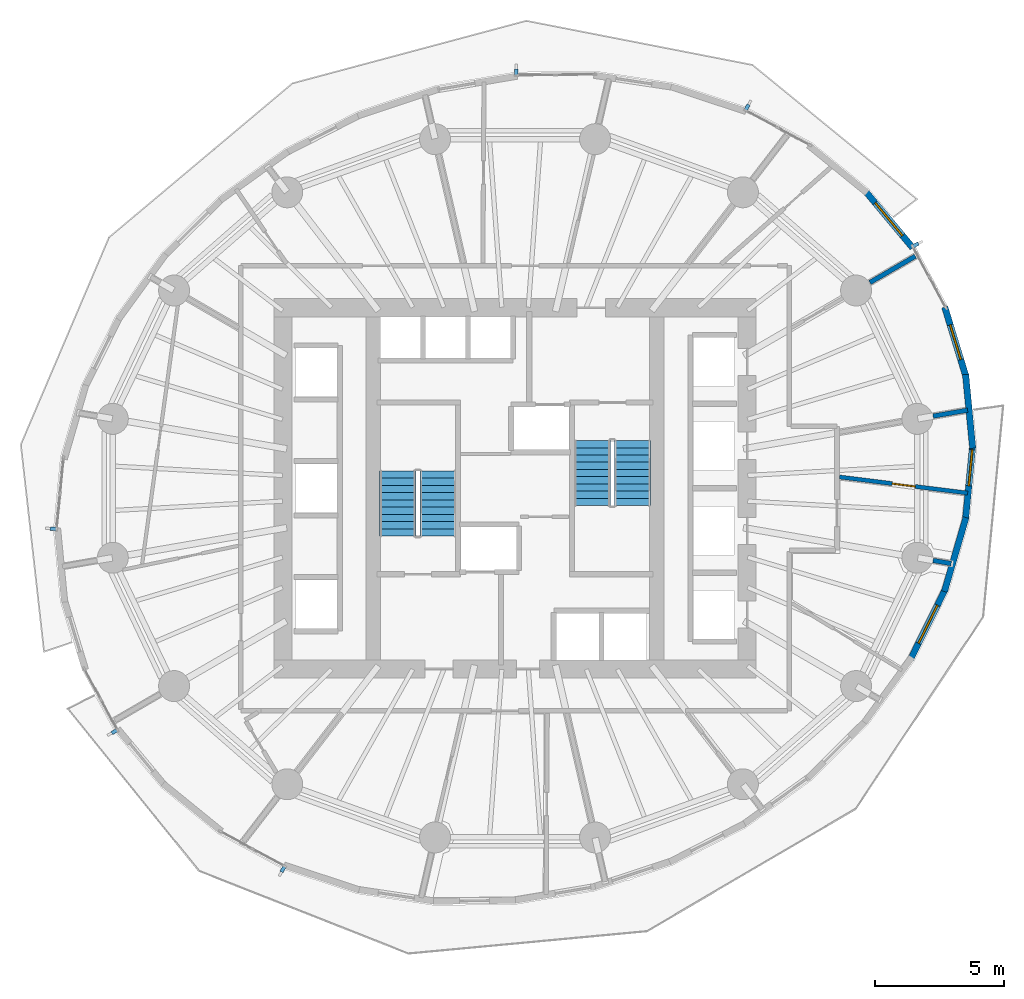
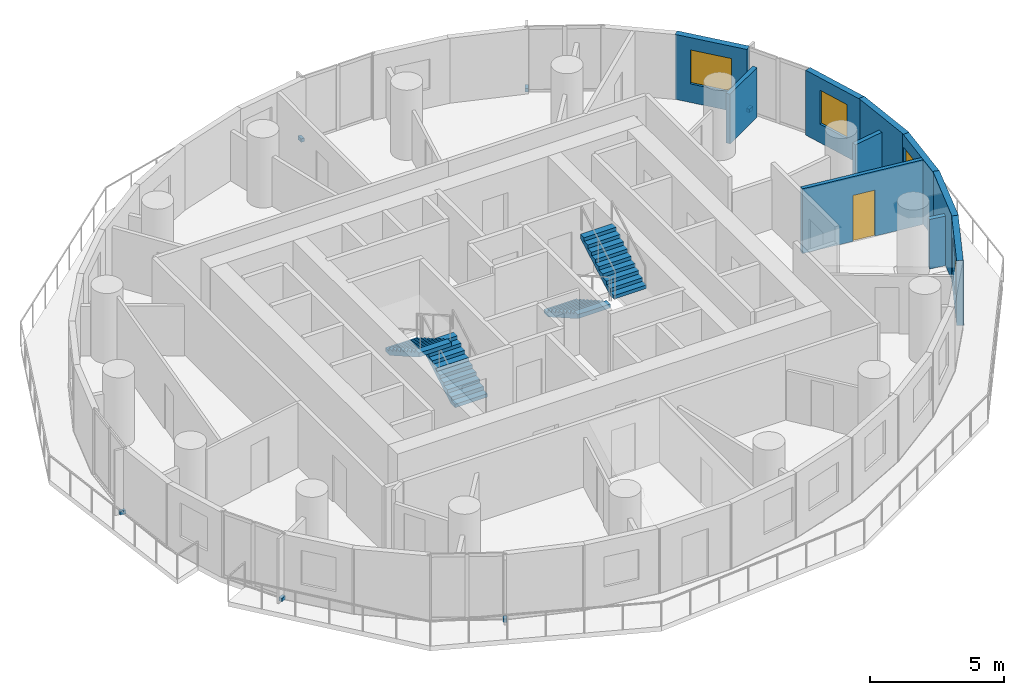
# One storey, part 10 of 14: 10 walls, 6 discrete accessories, 4 stair flights, 4 windows, 1 door, 5 openings, 2 elements without a shape of their own.
"""IFC4 building model written with IfcOpenShell, lengths in metres."""

from ifc_helpers import new_model, si_unit, direction, frame, frame_2d, origin, origin_2d, place, context, subcontext, project, spatial, polyline, rectangle, outline, extrude, material, layer, layer_set, type_object, element, fill, aggregate, save


model = new_model("IFC4")

# Units and contexts
model_context = context("Model", 3, precision=1e-05, world=origin(), true_north=direction((0.0, 1.0)))
body_context = subcontext(model_context, "Body", "Model", "MODEL_VIEW")
ifc_project = project(units=[si_unit("LENGTHUNIT", "METRE"), si_unit("AREAUNIT", "SQUARE_METRE"), si_unit("VOLUMEUNIT", "CUBIC_METRE"), si_unit("PLANEANGLEUNIT", "RADIAN"), si_unit("MASSUNIT", "GRAM", prefix="KILO")], contexts=[model_context])

# Site, building, storey
site_placement = place(None, origin())
site = spatial("IfcSite", under=ifc_project, at=site_placement, CompositionType="ELEMENT")
building_placement = place(site_placement, origin())
building = spatial("IfcBuilding", under=site, at=building_placement, Name="Veldorim Arch Residences", CompositionType="ELEMENT")
storey_placement = place(building_placement, frame((0.0, 0.0, 96.47998046875)))
storey = spatial("IfcBuildingStorey", under=building, at=storey_placement, Name="L28", CompositionType="ELEMENT", Elevation=96.47998046875)

# Walls
ifc_material_1 = material(Name="Lightweight Masonry Block & Gypsum", Category="masonry")
ifc_layer_1 = layer(ifc_material_1, 0.179931640625, Name="Compartment & Corridor Fire-Rated Party Wall 180")
ifc_layer_set_1 = layer_set([ifc_layer_1], Name="Lightweight Masonry Block & Gypsum")
wall_type_1 = type_object("IfcWallType", Name="Compartment & Corridor Fire-Rated Party Wall 180", PredefinedType="PARTITIONING", material=ifc_layer_set_1)
wall_1_placement = place(storey_placement, frame((48.20556640625, 26.797607421875, 0.0), z_axis=(0.0, 0.0, 1.0), x_axis=(0.98540615772, 0.170219576807, 0.0)))
element("IfcWall", 1, at=wall_1_placement, inside=storey, type_object=wall_type_1, Name="L28 interior wall WL-PIER-L28-01", PredefinedType="PARTITIONING", context=body_context, shape_type="SweptSolid", body=[
    extrude(rectangle(XDim=1.359619140625, YDim=0.179931640625, at=frame_2d((0.6796875, 0.0))), origin(), (0.0, 0.0, 1.0), 2.260498046875),
])
wall_2_placement = place(storey_placement, frame((45.756591796875, 31.977783203125, 0.0), z_axis=(0.0, 0.0, 1.0), x_axis=(0.865025978628, 0.501727073516, 0.0)))
element("IfcWall", 2, at=wall_2_placement, inside=storey, type_object=wall_type_1, Name="L28 interior wall WL-PIER-L28-02", PredefinedType="PARTITIONING", context=body_context, shape_type="SweptSolid", body=[
    extrude(rectangle(XDim=2.033447265625, YDim=0.179931640625, at=frame_2d((1.0166015625, 0.0))), origin(), (0.0, 0.0, 1.0), 2.260498046875),
])
wall_3_placement = place(storey_placement, frame((48.20556640625, 21.202392578125, 0.0), z_axis=(0.0, 0.0, 1.0), x_axis=(0.985420399327, -0.17013711115, 0.0)))
element("IfcWall", 3, at=wall_3_placement, inside=storey, type_object=wall_type_1, Name="L28 interior wall WL-PIER-L28-16", PredefinedType="PARTITIONING", context=body_context, shape_type="SweptSolid", body=[
    extrude(rectangle(XDim=0.710205078125, YDim=0.179931640625, at=frame_2d((0.35498046875, 0.0))), origin(), (0.0, 0.0, 1.0), 2.260498046875),
])

# Wall, opening, window
ifc_material_2 = material(Name="Precast concrete C40/50", Category="concrete")
ifc_layer_2 = layer(ifc_material_2, 0.25, Name="Tower Terracotta Spandrel & Pier Wall 250")
ifc_layer_set_2 = layer_set([ifc_layer_2], Name="Precast concrete C40/50")
wall_type_2 = type_object("IfcWallType", Name="Tower Terracotta Spandrel & Pier Wall 250", PredefinedType="SOLIDWALL", material=ifc_layer_set_2)
wall_4_placement = place(storey_placement, frame((45.571533203125, 35.534912109375, 0.0), z_axis=(0.0, 0.0, 1.0), x_axis=(0.640518566271, -0.76794268423, 0.0)))
wall_4 = element("IfcWall", 4, at=wall_4_placement, inside=storey, type_object=wall_type_2, Name="L28 terracotta facade wall 02", PredefinedType="SOLIDWALL", context=body_context, shape_type="SweptSolid", body=[
    extrude(rectangle(XDim=2.8740234375, YDim=0.25, at=frame_2d((1.43701171875, 0.0))), origin(), (0.0, 0.0, 1.0), 2.9599609375),
])
opening_1_placement = place(wall_4_placement, frame((0.612060546875, 0.0, 0.85009765625)))
opening_1 = element("IfcOpeningElement", 5, at=opening_1_placement, cuts=wall_4, Name="Opening WN-03", PredefinedType="OPENING", context=body_context, shape_type="SweptSolid", body=[
    extrude(rectangle(XDim=1.64990234375, YDim=1.550048828125, at=frame_2d((0.824951171875, 0.77490234375))), frame((0.0, 0.135009765625, 0.0), z_axis=(0.0, -1.0, 0.0), x_axis=(1.0, 0.0, 0.0)), (0.0, 0.0, 1.0), 0.27001953125),
])
ifc_material_3 = material(Name="Laminated Low-E Glass", Category="glass")
window_type_1 = type_object("IfcWindowType", Name="Residential Wide Window 1650x1550", PartitioningType="SINGLE_PANEL", PredefinedType="WINDOW", material=ifc_material_3)
window_1_placement = place(opening_1_placement, origin())
window_1 = element("IfcWindow", 6, at=window_1_placement, inside=storey, type_object=window_type_1, Name="L28 solar-control facade window 02", OverallHeight=1.550048828125, OverallWidth=1.64990234375, PartitioningType="SINGLE_PANEL", PredefinedType="WINDOW", context=body_context, shape_type="SweptSolid", body=[
    extrude(rectangle(XDim=1.64990234375, YDim=1.550048828125, at=frame_2d((0.824951171875, 0.77490234375))), frame((0.0, 0.030029296875, 0.0), z_axis=(0.0, -1.0, 0.0), x_axis=(1.0, 0.0, 0.0)), (0.0, 0.0, 1.0), 0.06005859375),
])
fill(opening_1, window_1)

wall_5_placement = place(storey_placement, frame((48.68798828125, 20.100830078125, 0.0), z_axis=(0.0, 0.0, 1.0), x_axis=(-0.443988069997, -0.896032696781, 0.0)))
wall_5 = element("IfcWall", 7, at=wall_5_placement, inside=storey, type_object=wall_type_2, Name="L28 terracotta facade wall 32", PredefinedType="SOLIDWALL", context=body_context, shape_type="SweptSolid", body=[
    extrude(rectangle(XDim=3.060546875, YDim=0.25, at=frame_2d((1.5302734375, 0.0))), origin(), (0.0, 0.0, 1.0), 2.9599609375),
])
opening_2_placement = place(wall_5_placement, frame((0.705078125, 0.0, 0.85009765625)))
opening_2 = element("IfcOpeningElement", 8, at=opening_2_placement, cuts=wall_5, Name="Opening WN-03", PredefinedType="OPENING", context=body_context, shape_type="SweptSolid", body=[
    extrude(rectangle(XDim=1.64990234375, YDim=1.550048828125, at=frame_2d((0.824951171875, 0.77490234375))), frame((0.0, 0.135009765625, 0.0), z_axis=(0.0, -1.0, 0.0), x_axis=(1.0, 0.0, 0.0)), (0.0, 0.0, 1.0), 0.27001953125),
])
window_2_placement = place(opening_2_placement, origin())
window_2 = element("IfcWindow", 9, at=window_2_placement, inside=storey, type_object=window_type_1, Name="L28 solar-control facade window 32", OverallHeight=1.550048828125, OverallWidth=1.64990234375, PartitioningType="SINGLE_PANEL", PredefinedType="WINDOW", context=body_context, shape_type="SweptSolid", body=[
    extrude(rectangle(XDim=1.64990234375, YDim=1.550048828125, at=frame_2d((0.824951171875, 0.77490234375))), frame((0.0, 0.030029296875, 0.0), z_axis=(0.0, -1.0, 0.0), x_axis=(1.0, 0.0, 0.0)), (0.0, 0.0, 1.0), 0.06005859375),
])
fill(opening_2, window_2)

# Wall
wall_6_placement = place(storey_placement, frame((49.4814453125, 22.866455078125, 0.0), z_axis=(0.0, 0.0, 1.0), x_axis=(-0.279152874041, -0.960246672952, 0.0)))
element("IfcWall", 10, at=wall_6_placement, inside=storey, type_object=wall_type_2, Name="L28 terracotta facade wall 33", PredefinedType="SOLIDWALL", context=body_context, shape_type="SweptSolid", body=[
    extrude(rectangle(XDim=2.988525390625, YDim=0.25, at=frame_2d((1.494140625, 0.0))), origin(), (0.0, 0.0, 1.0), 2.9599609375),
])

# Wall, opening, window
wall_7_placement = place(storey_placement, frame((49.743408203125, 25.665283203125, 0.0), z_axis=(0.0, 0.0, 1.0), x_axis=(-0.096873982201, -0.995296655059, 0.0)))
wall_7 = element("IfcWall", 11, at=wall_7_placement, inside=storey, type_object=wall_type_2, Name="L28 terracotta facade wall 34", PredefinedType="SOLIDWALL", context=body_context, shape_type="SweptSolid", body=[
    extrude(rectangle(XDim=2.92333984375, YDim=0.25, at=frame_2d((1.461669921875, 0.0))), origin(), (0.0, 0.0, 1.0), 2.9599609375),
])
opening_3_placement = place(wall_7_placement, frame((0.175048828125, 0.0, 0.85009765625)))
opening_3 = element("IfcOpeningElement", 12, at=opening_3_placement, cuts=wall_7, Name="Opening WN-02", PredefinedType="OPENING", context=body_context, shape_type="SweptSolid", body=[
    extrude(rectangle(XDim=1.39990234375, YDim=1.550048828125, at=frame_2d((0.699951171875, 0.77490234375))), frame((0.0, 0.135009765625, 0.0), z_axis=(0.0, -1.0, 0.0), x_axis=(1.0, 0.0, 0.0)), (0.0, 0.0, 1.0), 0.27001953125),
])
ifc_material_4 = material(Name="Laminated Low-E Glass", Category="glass")
window_type_2 = type_object("IfcWindowType", Name="Residential Casement Window 1400x1550", PartitioningType="SINGLE_PANEL", PredefinedType="WINDOW", material=ifc_material_4)
window_3_placement = place(opening_3_placement, origin())
window_3 = element("IfcWindow", 13, at=window_3_placement, inside=storey, type_object=window_type_2, Name="L28 solar-control facade window 34", OverallHeight=1.550048828125, OverallWidth=1.39990234375, PartitioningType="SINGLE_PANEL", PredefinedType="WINDOW", context=body_context, shape_type="SweptSolid", body=[
    extrude(rectangle(XDim=1.39990234375, YDim=1.550048828125, at=frame_2d((0.699951171875, 0.77490234375))), frame((0.0, 0.030029296875, 0.0), z_axis=(0.0, -1.0, 0.0), x_axis=(1.0, 0.0, 0.0)), (0.0, 0.0, 1.0), 0.06005859375),
])
fill(opening_3, window_3)

# Wall
wall_8_placement = place(storey_placement, frame((49.466552734375, 28.412109375, 0.0), z_axis=(0.0, 0.0, 1.0), x_axis=(0.096332339466, -0.995349225334, 0.0)))
element("IfcWall", 14, at=wall_8_placement, inside=storey, type_object=wall_type_2, Name="L28 terracotta facade wall 35", PredefinedType="SOLIDWALL", context=body_context, shape_type="SweptSolid", body=[
    extrude(rectangle(XDim=2.8740234375, YDim=0.25, at=frame_2d((1.43701171875, 0.0))), origin(), (0.0, 0.0, 1.0), 2.9599609375),
])

# Wall, opening, window
wall_9_placement = place(storey_placement, frame((48.659912109375, 31.0244140625, 0.0), z_axis=(0.0, 0.0, 1.0), x_axis=(0.291144558409, -0.956679071637, 0.0)))
wall_9 = element("IfcWall", 15, at=wall_9_placement, inside=storey, type_object=wall_type_2, Name="L28 terracotta facade wall 36", PredefinedType="SOLIDWALL", context=body_context, shape_type="SweptSolid", body=[
    extrude(rectangle(XDim=2.84765625, YDim=0.25, at=frame_2d((1.423828125, 0.0))), origin(), (0.0, 0.0, 1.0), 2.9599609375),
])
opening_4_placement = place(wall_9_placement, frame((0.72412109375, 0.0, 0.85009765625)))
opening_4 = element("IfcOpeningElement", 16, at=opening_4_placement, cuts=wall_9, Name="Opening WN-02", PredefinedType="OPENING", context=body_context, shape_type="SweptSolid", body=[
    extrude(rectangle(XDim=1.39990234375, YDim=1.550048828125, at=frame_2d((0.699951171875, 0.77490234375))), frame((0.0, 0.135009765625, 0.0), z_axis=(0.0, -1.0, 0.0), x_axis=(1.0, 0.0, 0.0)), (0.0, 0.0, 1.0), 0.27001953125),
])
window_4_placement = place(opening_4_placement, origin())
window_4 = element("IfcWindow", 17, at=window_4_placement, inside=storey, type_object=window_type_2, Name="L28 solar-control facade window 36", OverallHeight=1.550048828125, OverallWidth=1.39990234375, PartitioningType="SINGLE_PANEL", PredefinedType="WINDOW", context=body_context, shape_type="SweptSolid", body=[
    extrude(rectangle(XDim=1.39990234375, YDim=1.550048828125, at=frame_2d((0.699951171875, 0.77490234375))), frame((0.0, 0.030029296875, 0.0), z_axis=(0.0, -1.0, 0.0), x_axis=(1.0, 0.0, 0.0)), (0.0, 0.0, 1.0), 0.06005859375),
])
fill(opening_4, window_4)

# Wall, opening, door
ifc_material_5 = material(Name="Moisture-Resistant Gypsum & Stud", Category="gypsum")
ifc_layer_3 = layer(ifc_material_5, 0.159912109375, Name="Wet-Area Moisture-Resistant Plumbing Wall 160")
ifc_layer_set_3 = layer_set([ifc_layer_3], Name="Moisture-Resistant Gypsum & Stud")
wall_type_3 = type_object("IfcWallType", Name="Wet-Area Moisture-Resistant Plumbing Wall 160", PredefinedType="PLUMBINGWALL", material=ifc_layer_set_3)
wall_10_placement = place(storey_placement, frame((44.5791015625, 24.43798828125, 0.0), z_axis=(0.0, 0.0, 1.0), x_axis=(0.99219440442, -0.124700697023, 0.0)))
wall_10 = element("IfcWall", 18, at=wall_10_placement, inside=storey, type_object=wall_type_3, Name="L28 interior wall WL-RES-L28-017", PredefinedType="PLUMBINGWALL", context=body_context, shape_type="SweptSolid", body=[
    extrude(rectangle(XDim=5.008056640625, YDim=0.159912109375, at=frame_2d((2.50390625, 0.0))), origin(), (0.0, 0.0, 1.0), 2.955078125),
])
opening_5_placement = place(wall_10_placement, frame((2.053955078125, 0.0, 0.0)))
opening_5 = element("IfcOpeningElement", 19, at=opening_5_placement, cuts=wall_10, Name="Opening DR-WC", PredefinedType="OPENING", context=body_context, shape_type="SweptSolid", body=[
    extrude(rectangle(XDim=0.89990234375, YDim=2.10009765625, at=frame_2d((0.449951171875, 1.050048828125))), frame((0.0, 0.08984375, 0.0), z_axis=(0.0, -1.0, 0.0), x_axis=(1.0, 0.0, 0.0)), (0.0, 0.0, 1.0), 0.179931640625),
])
ifc_material_6 = material(Name="Laminate Timber", Category="wood")
door_type = type_object("IfcDoorType", Name="Bathroom & Accessible WC Moisture-Sealed Door 900x2100", OperationType="SINGLE_SWING_LEFT", PredefinedType="DOOR", material=ifc_material_6)
door_placement = place(opening_5_placement, origin())
door = element("IfcDoor", 20, at=door_placement, inside=storey, type_object=door_type, Name="L28 interior door DR-RES-L28-005", OperationType="SINGLE_SWING_LEFT", OverallHeight=2.10009765625, OverallWidth=0.89990234375, PredefinedType="DOOR", context=body_context, shape_type="SweptSolid", body=[
    extrude(rectangle(XDim=0.89990234375, YDim=2.10009765625, at=frame_2d((0.449951171875, 1.050048828125))), frame((0.0, 0.02490234375, 0.0), z_axis=(0.0, -1.0, 0.0), x_axis=(1.0, 0.0, 0.0)), (0.0, 0.0, 1.0), 0.050048828125),
])
fill(opening_5, door)

# Stair, stair flights
ifc_material_7 = material(Name="Concrete C40/50", Category="concrete")
stair_type = type_object("IfcStairType", Name="Reinforced Concrete Dogleg Exit Staircase", PredefinedType="HALF_TURN_STAIR", material=ifc_material_7)
stair_1_placement = place(storey_placement, origin())
stair_1 = element("IfcStair", 21, at=stair_1_placement, inside=storey, type_object=stair_type, Name="L28 Exit Staircase ST-1", PredefinedType="HALF_TURN_STAIR")
ifc_material_8 = material(Name="Concrete C40/50", Category="concrete")
stair_flight_type = type_object("IfcStairFlightType", Name="Reinforced Concrete Stair Flight 1400", PredefinedType="STRAIGHT", material=ifc_material_8)
stair_flight_1_placement = place(storey_placement, frame((29.010009765625, 22.14990234375, 0.0), z_axis=(0.0, 0.0, 1.0), x_axis=(0.0, 1.0, 0.0)))
stair_flight_1 = element("IfcStairFlight", 22, at=stair_flight_1_placement, type_object=stair_flight_type, Name="ST-1 flight 1", NumberOfRisers=10, NumberOfTreads=9, PredefinedType="STRAIGHT", RiserHeight=0.16, TreadLength=0.28, context=body_context, shape_type="SweptSolid", body=[
    extrude(outline(polyline([(0.0, 0.0), (0.0, 0.159912109375), (0.280029296875, 0.159912109375), (0.280029296875, 0.320068359375), (0.56005859375, 0.320068359375), (0.56005859375, 0.47998046875), (0.840087890625, 0.47998046875), (0.840087890625, 0.639892578125), (1.1201171875, 0.639892578125), (1.1201171875, 0.800048828125), (1.39990234375, 0.800048828125), (1.39990234375, 0.9599609375), (1.679931640625, 0.9599609375), (1.679931640625, 1.1201171875), (1.9599609375, 1.1201171875), (1.9599609375, 1.280029296875), (2.239990234375, 1.280029296875), (2.239990234375, 1.43994140625), (2.52001953125, 1.43994140625), (2.52001953125, 1.60009765625), (2.52001953125, 1.255859375), (0.322265625, 0.0), (0.0, 0.0)])), frame((0.0, 0.699951171875, 0.0), z_axis=(0.0, -1.0, 0.0), x_axis=(1.0, 0.0, 0.0)), (0.0, 0.0, 1.0), 1.39990234375),
])
stair_flight_2_placement = place(storey_placement, frame((27.449951171875, 24.669921875, 1.60009765625), z_axis=(0.0, 0.0, 1.0), x_axis=(0.0, -1.0, 0.0)))
stair_flight_2 = element("IfcStairFlight", 23, at=stair_flight_2_placement, type_object=stair_flight_type, Name="ST-1 flight 2", NumberOfRisers=10, NumberOfTreads=9, PredefinedType="STRAIGHT", RiserHeight=0.16, TreadLength=0.28, context=body_context, shape_type="SweptSolid", body=[
    extrude(outline(polyline([(0.0, 0.0), (0.0, 0.159912109375), (0.280029296875, 0.159912109375), (0.280029296875, 0.320068359375), (0.56005859375, 0.320068359375), (0.56005859375, 0.47998046875), (0.840087890625, 0.47998046875), (0.840087890625, 0.639892578125), (1.1201171875, 0.639892578125), (1.1201171875, 0.800048828125), (1.39990234375, 0.800048828125), (1.39990234375, 0.9599609375), (1.679931640625, 0.9599609375), (1.679931640625, 1.1201171875), (1.9599609375, 1.1201171875), (1.9599609375, 1.280029296875), (2.239990234375, 1.280029296875), (2.239990234375, 1.43994140625), (2.52001953125, 1.43994140625), (2.52001953125, 1.60009765625), (2.52001953125, 1.255859375), (0.322265625, 0.0), (0.0, 0.0)])), frame((0.0, 0.699951171875, 0.0), z_axis=(0.0, -1.0, 0.0), x_axis=(1.0, 0.0, 0.0)), (0.0, 0.0, 1.0), 1.39990234375),
])
aggregate(stair_1, [stair_flight_1, stair_flight_2])

stair_2_placement = place(storey_placement, origin())
stair_2 = element("IfcStair", 24, at=stair_2_placement, inside=storey, type_object=stair_type, Name="L28 Exit Staircase ST-2", PredefinedType="HALF_TURN_STAIR")
stair_flight_3_placement = place(storey_placement, frame((34.989990234375, 25.85009765625, 0.0), z_axis=(0.0, 0.0, 1.0), x_axis=(0.0, -1.0, 0.0)))
stair_flight_3 = element("IfcStairFlight", 25, at=stair_flight_3_placement, type_object=stair_flight_type, Name="ST-2 flight 1", NumberOfRisers=10, NumberOfTreads=9, PredefinedType="STRAIGHT", RiserHeight=0.16, TreadLength=0.28, context=body_context, shape_type="SweptSolid", body=[
    extrude(outline(polyline([(0.0, 0.0), (0.0, 0.159912109375), (0.280029296875, 0.159912109375), (0.280029296875, 0.320068359375), (0.56005859375, 0.320068359375), (0.56005859375, 0.47998046875), (0.840087890625, 0.47998046875), (0.840087890625, 0.639892578125), (1.1201171875, 0.639892578125), (1.1201171875, 0.800048828125), (1.39990234375, 0.800048828125), (1.39990234375, 0.9599609375), (1.679931640625, 0.9599609375), (1.679931640625, 1.1201171875), (1.9599609375, 1.1201171875), (1.9599609375, 1.280029296875), (2.239990234375, 1.280029296875), (2.239990234375, 1.43994140625), (2.52001953125, 1.43994140625), (2.52001953125, 1.60009765625), (2.52001953125, 1.255859375), (0.322265625, 0.0), (0.0, 0.0)])), frame((0.0, 0.699951171875, 0.0), z_axis=(0.0, -1.0, 0.0), x_axis=(1.0, 0.0, 0.0)), (0.0, 0.0, 1.0), 1.39990234375),
])
stair_flight_4_placement = place(storey_placement, frame((36.550048828125, 23.330078125, 1.60009765625), z_axis=(0.0, 0.0, 1.0), x_axis=(0.0, 1.0, 0.0)))
stair_flight_4 = element("IfcStairFlight", 26, at=stair_flight_4_placement, type_object=stair_flight_type, Name="ST-2 flight 2", NumberOfRisers=10, NumberOfTreads=9, PredefinedType="STRAIGHT", RiserHeight=0.16, TreadLength=0.28, context=body_context, shape_type="SweptSolid", body=[
    extrude(outline(polyline([(0.0, 0.0), (0.0, 0.159912109375), (0.280029296875, 0.159912109375), (0.280029296875, 0.320068359375), (0.56005859375, 0.320068359375), (0.56005859375, 0.47998046875), (0.840087890625, 0.47998046875), (0.840087890625, 0.639892578125), (1.1201171875, 0.639892578125), (1.1201171875, 0.800048828125), (1.39990234375, 0.800048828125), (1.39990234375, 0.9599609375), (1.679931640625, 0.9599609375), (1.679931640625, 1.1201171875), (1.9599609375, 1.1201171875), (1.9599609375, 1.280029296875), (2.239990234375, 1.280029296875), (2.239990234375, 1.43994140625), (2.52001953125, 1.43994140625), (2.52001953125, 1.60009765625), (2.52001953125, 1.255859375), (0.322265625, 0.0), (0.0, 0.0)])), frame((0.0, 0.699951171875, 0.0), z_axis=(0.0, -1.0, 0.0), x_axis=(1.0, 0.0, 0.0)), (0.0, 0.0, 1.0), 1.39990234375),
])
aggregate(stair_2, [stair_flight_3, stair_flight_4])

# Discrete accessories
ifc_material_9 = material(Name="Stainless Steel", Category="steel")
discrete_accessory_type = type_object("IfcDiscreteAccessoryType", Name="Stainless Steel Facade Fin Anchor Bracket", PredefinedType="BRACKET", material=ifc_material_9)
for number, where, z_axis, x_axis, name in (
    (27, (47.532470703125, 33.43408203125, -0.02001953125), (0.0, 0.0, 1.0), (0.476084726767, -0.879399416044, 0.0), "L28 stainless fin anchor bracket 01"),
    (28, (40.996826171875, 38.768310546875, -0.02001953125), (0.0, 0.0, 1.0), (0.879399416044, -0.476084726767, 0.0), "L28 stainless fin anchor bracket 04"),
    (29, (32.050537109375, 40.14208984375, -0.02001953125), (0.0, 0.0, 1.0), (0.999937615001, 0.011169874929, 0.0), "L28 stainless fin anchor bracket 07"),
    (30, (14.097412109375, 22.427978515625, -0.02001953125), (0.0, 0.0, 1.0), (0.096888076238, 0.995295283161, 0.0), "L28 stainless fin anchor bracket 16"),
    (31, (16.467529296875, 14.56591796875, -0.02001953125), (0.0, 0.0, 1.0), (-0.476084726767, 0.879399416044, 0.0), "L28 stainless fin anchor bracket 19"),
    (32, (23.003173828125, 9.231689453125, -0.02001953125), (0.0, 0.0, 1.0), (-0.879399416044, 0.476084726767, 0.0), "L28 stainless fin anchor bracket 22"),
):
    element("IfcDiscreteAccessory", number, at=place(storey_placement, frame(where, z_axis=z_axis, x_axis=x_axis)), inside=storey, type_object=discrete_accessory_type, Name=name, PredefinedType="BRACKET", context=body_context, shape_type="SweptSolid", body=[
        extrude(rectangle(XDim=0.139892578125, YDim=0.239990234375, at=origin_2d()), origin(), (0.0, 0.0, 1.0), 0.159912109375),
    ])

save(model, "model.ifc")
